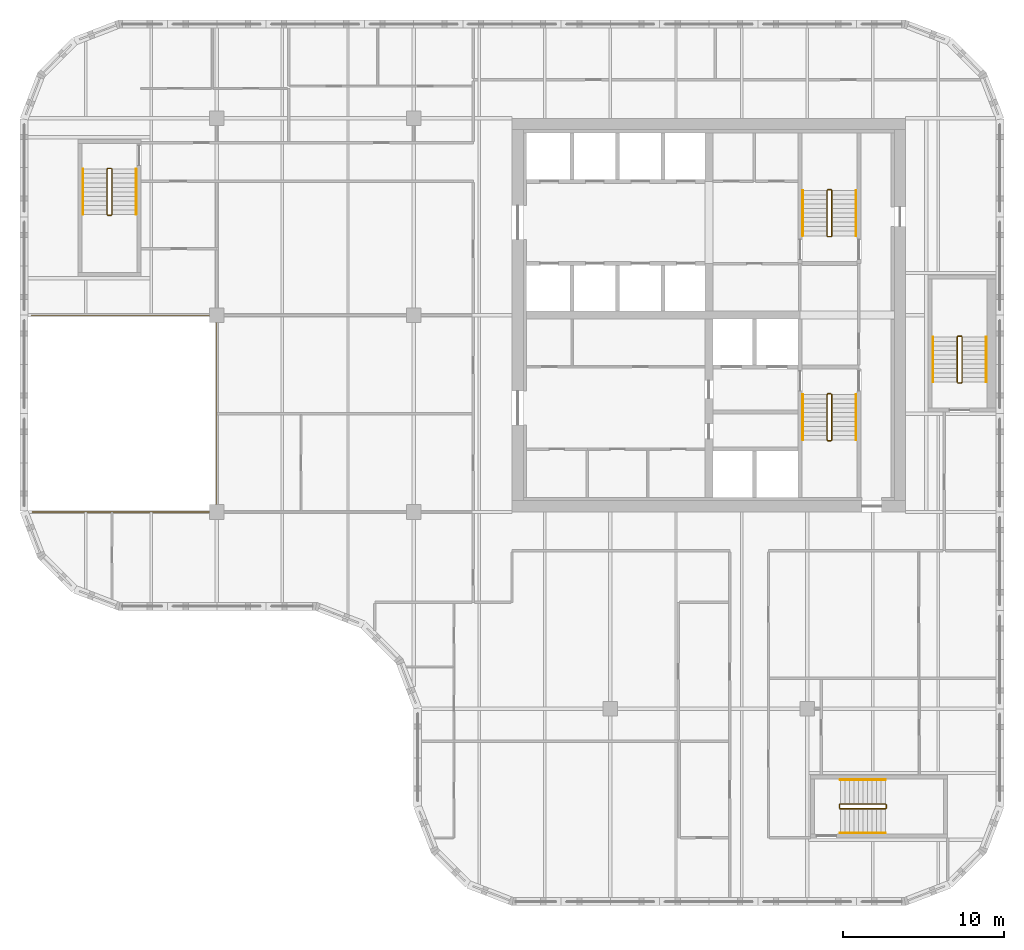
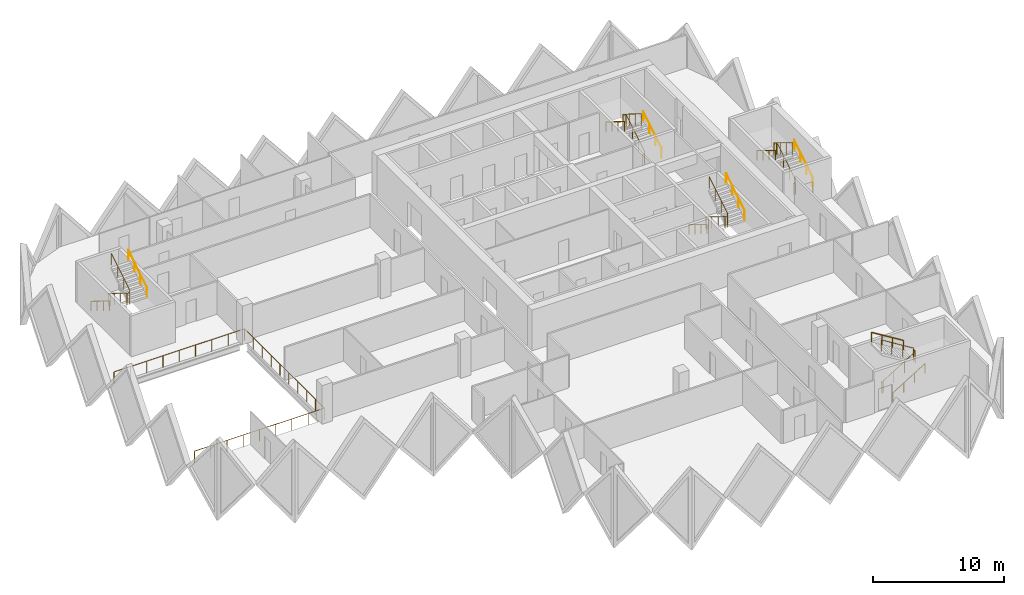
# One storey, part 12 of 12: 16 railings.
"""IFC4 building model written with IfcOpenShell, lengths in metres."""

from ifc_helpers import new_model, si_unit, direction, frame, origin, origin_2d, place, context, subcontext, project, spatial, circle, extrude, material, type_object, element, save


model = new_model("IFC4")

# Units and contexts
model_context = context("Model", 3, precision=1e-05, world=origin(), true_north=direction((0.0, 1.0)))
body_context = subcontext(model_context, "Body", "Model", "MODEL_VIEW")
ifc_project = project(units=[si_unit("LENGTHUNIT", "METRE"), si_unit("AREAUNIT", "SQUARE_METRE"), si_unit("VOLUMEUNIT", "CUBIC_METRE"), si_unit("PLANEANGLEUNIT", "RADIAN"), si_unit("MASSUNIT", "GRAM", prefix="KILO")], contexts=[model_context])

# Site, building, storey
site_placement = place(None, origin())
site = spatial("IfcSite", under=ifc_project, at=site_placement, CompositionType="ELEMENT")
building_placement = place(site_placement, origin())
building = spatial("IfcBuilding", under=site, at=building_placement, Name="Tessera Gate Towers", CompositionType="ELEMENT")
storey_placement = place(building_placement, frame((0.0, 0.0, 143.0)))
storey = spatial("IfcBuildingStorey", under=building, at=storey_placement, Name="L35", CompositionType="ELEMENT", Elevation=143.0)

# Railings
ifc_material_1 = material(Name="Toughened glass with stainless steel handrail", Category="steel")
railing_type_1 = type_object("IfcRailingType", Name="GUARD 1100 GLASS BALUSTRADE", PredefinedType="GUARDRAIL", material=ifc_material_1)
railing_1_placement = place(storey_placement, frame((0.750244140625, 24.39990234375, 0.0)))
element("IfcRailing", 1, at=railing_1_placement, inside=storey, type_object=railing_type_1, Name="Guard", PredefinedType="GUARDRAIL", context=body_context, shape_type="SweptSolid", body=[
    extrude(circle(Radius=0.02490234375, at=origin_2d()), frame((0.0, 0.0, 1.0751953125), z_axis=(1.0, 0.0, 0.0), x_axis=(0.0, 1.0, 0.0)), (0.0, 0.0, 1.0), 11.44970703125),
    extrude(circle(Radius=0.02490234375, at=origin_2d()), frame((11.44970703125, 0.0, 1.0751953125), z_axis=(0.0, 1.0, 0.0), x_axis=(-1.0, 0.0, 0.0)), (0.0, 0.0, 1.0), 12.2001953125),
    extrude(circle(Radius=0.02490234375, at=origin_2d()), frame((11.44970703125, 12.2001953125, 1.0751953125), z_axis=(-1.0, 0.0, 0.0), x_axis=(0.0, -1.0, 0.0)), (0.0, 0.0, 1.0), 11.5),
    extrude(circle(Radius=0.02490234375, at=origin_2d()), origin(), (0.0, 0.0, 1.0), 1.050048828125),
    extrude(circle(Radius=0.02490234375, at=origin_2d()), frame((1.43115234375, 0.0, 0.0)), (0.0, 0.0, 1.0), 1.050048828125),
    extrude(circle(Radius=0.02490234375, at=origin_2d()), frame((2.8623046875, 0.0, 0.0)), (0.0, 0.0, 1.0), 1.050048828125),
    extrude(circle(Radius=0.02490234375, at=origin_2d()), frame((4.293701171875, 0.0, 0.0)), (0.0, 0.0, 1.0), 1.050048828125),
    extrude(circle(Radius=0.02490234375, at=origin_2d()), frame((5.724853515625, 0.0, 0.0)), (0.0, 0.0, 1.0), 1.050048828125),
    extrude(circle(Radius=0.02490234375, at=origin_2d()), frame((7.156005859375, 0.0, 0.0)), (0.0, 0.0, 1.0), 1.050048828125),
    extrude(circle(Radius=0.02490234375, at=origin_2d()), frame((8.58740234375, 0.0, 0.0)), (0.0, 0.0, 1.0), 1.050048828125),
    extrude(circle(Radius=0.02490234375, at=origin_2d()), frame((10.0185546875, 0.0, 0.0)), (0.0, 0.0, 1.0), 1.050048828125),
    extrude(circle(Radius=0.02490234375, at=origin_2d()), frame((11.44970703125, 0.0, 0.0)), (0.0, 0.0, 1.0), 1.050048828125),
    extrude(circle(Radius=0.02490234375, at=origin_2d()), frame((11.44970703125, 1.35546875, 0.0)), (0.0, 0.0, 1.0), 1.050048828125),
    extrude(circle(Radius=0.02490234375, at=origin_2d()), frame((11.44970703125, 2.711181640625, 0.0)), (0.0, 0.0, 1.0), 1.050048828125),
    extrude(circle(Radius=0.02490234375, at=origin_2d()), frame((11.44970703125, 4.066650390625, 0.0)), (0.0, 0.0, 1.0), 1.050048828125),
    extrude(circle(Radius=0.02490234375, at=origin_2d()), frame((11.44970703125, 5.42236328125, 0.0)), (0.0, 0.0, 1.0), 1.050048828125),
    extrude(circle(Radius=0.02490234375, at=origin_2d()), frame((11.44970703125, 6.77783203125, 0.0)), (0.0, 0.0, 1.0), 1.050048828125),
    extrude(circle(Radius=0.02490234375, at=origin_2d()), frame((11.44970703125, 8.133544921875, 0.0)), (0.0, 0.0, 1.0), 1.050048828125),
    extrude(circle(Radius=0.02490234375, at=origin_2d()), frame((11.44970703125, 9.489013671875, 0.0)), (0.0, 0.0, 1.0), 1.050048828125),
    extrude(circle(Radius=0.02490234375, at=origin_2d()), frame((11.44970703125, 10.8447265625, 0.0)), (0.0, 0.0, 1.0), 1.050048828125),
    extrude(circle(Radius=0.02490234375, at=origin_2d()), frame((11.44970703125, 12.2001953125, 0.0)), (0.0, 0.0, 1.0), 1.050048828125),
    extrude(circle(Radius=0.02490234375, at=origin_2d()), frame((10.01220703125, 12.2001953125, 0.0)), (0.0, 0.0, 1.0), 1.050048828125),
    extrude(circle(Radius=0.02490234375, at=origin_2d()), frame((8.57470703125, 12.2001953125, 0.0)), (0.0, 0.0, 1.0), 1.050048828125),
    extrude(circle(Radius=0.02490234375, at=origin_2d()), frame((7.13720703125, 12.2001953125, 0.0)), (0.0, 0.0, 1.0), 1.050048828125),
    extrude(circle(Radius=0.02490234375, at=origin_2d()), frame((5.69970703125, 12.2001953125, 0.0)), (0.0, 0.0, 1.0), 1.050048828125),
    extrude(circle(Radius=0.02490234375, at=origin_2d()), frame((4.26220703125, 12.2001953125, 0.0)), (0.0, 0.0, 1.0), 1.050048828125),
    extrude(circle(Radius=0.02490234375, at=origin_2d()), frame((2.82470703125, 12.2001953125, 0.0)), (0.0, 0.0, 1.0), 1.050048828125),
    extrude(circle(Radius=0.02490234375, at=origin_2d()), frame((1.38720703125, 12.2001953125, 0.0)), (0.0, 0.0, 1.0), 1.050048828125),
    extrude(circle(Radius=0.02490234375, at=origin_2d()), frame((-0.05029296875, 12.2001953125, 0.0)), (0.0, 0.0, 1.0), 1.050048828125),
])
ifc_material_2 = material(Name="Steel 350W", Category="steel")
railing_type_2 = type_object("IfcRailingType", Name="STAIR GUARD 1100", PredefinedType="GUARDRAIL", material=ifc_material_2)
railing_2_placement = place(storey_placement, frame((50.27490234375, 31.72509765625, 0.0)))
element("IfcRailing", 2, at=railing_2_placement, inside=storey, type_object=railing_type_2, Name="L35 ST1 stair guard 1", PredefinedType="GUARDRAIL", context=body_context, shape_type="SweptSolid", body=[
    extrude(circle(Radius=0.02392578125, at=origin_2d()), frame((0.0, 0.0, 1.076171875), z_axis=(-1.0, 0.0, 0.0), x_axis=(0.0, -1.0, 0.0)), (0.0, 0.0, 1.0), 0.199951171875),
    extrude(circle(Radius=0.02392578125, at=origin_2d()), frame((-0.199951171875, 0.0, 1.076171875), z_axis=(-0.268277960024, -0.268277960024, 0.925231793839), x_axis=(0.707106781187, -0.707106781187, 0.0)), (0.0, 0.0, 1.0), 0.1865234375),
    extrude(circle(Radius=0.02392578125, at=origin_2d()), frame((-0.25, -0.050048828125, 1.24853515625), z_axis=(0.0, -0.851089632645, 0.525020415988), x_axis=(1.0, 0.0, 0.0)), (0.0, 0.0, 1.0), 3.2900390625),
    extrude(circle(Radius=0.02392578125, at=origin_2d()), frame((-0.25, -2.85009765625, 2.97607421875), z_axis=(0.707106781187, -0.707106781187, 0.0), x_axis=(0.707106781187, 0.707106781187, 0.0)), (0.0, 0.0, 1.0), 0.07080078125),
    extrude(circle(Radius=0.02392578125, at=origin_2d()), frame((-0.199951171875, -2.900146484375, 2.97607421875), z_axis=(1.0, 0.0, 0.0), x_axis=(0.0, 1.0, 0.0)), (0.0, 0.0, 1.0), 0.199951171875),
    extrude(circle(Radius=0.02392578125, at=origin_2d()), frame((0.0, -2.900146484375, 2.97607421875), z_axis=(0.267953482034, 0.267953482034, 0.925419830635), x_axis=(-0.707106781187, 0.707106781187, 0.0)), (0.0, 0.0, 1.0), 0.186767578125),
    extrude(circle(Radius=0.02392578125, at=origin_2d()), frame((0.050048828125, -2.85009765625, 3.14892578125), z_axis=(0.0, 0.851089632645, 0.525020415988), x_axis=(-1.0, 0.0, 0.0)), (0.0, 0.0, 1.0), 3.2900390625),
    extrude(circle(Radius=0.02099609375, at=origin_2d()), origin(), (0.0, 0.0, 1.0), 1.052001953125),
    extrude(circle(Radius=0.02099609375, at=origin_2d()), frame((-0.199951171875, 0.0, 0.0)), (0.0, 0.0, 1.0), 1.052001953125),
    extrude(circle(Radius=0.02099609375, at=origin_2d()), frame((-0.25, -0.050048828125, 0.172607421875)), (0.0, 0.0, 1.0), 1.052001953125),
    extrude(circle(Radius=0.02099609375, at=origin_2d()), frame((-0.25, -0.9833984375, 0.748291015625)), (0.0, 0.0, 1.0), 1.052001953125),
    extrude(circle(Radius=0.02099609375, at=origin_2d()), frame((-0.25, -1.916748046875, 1.32421875)), (0.0, 0.0, 1.0), 1.052001953125),
    extrude(circle(Radius=0.02099609375, at=origin_2d()), frame((-0.25, -2.85009765625, 1.89990234375)), (0.0, 0.0, 1.0), 1.052001953125),
    extrude(circle(Radius=0.02099609375, at=origin_2d()), frame((-0.199951171875, -2.900146484375, 1.89990234375)), (0.0, 0.0, 1.0), 1.052001953125),
    extrude(circle(Radius=0.02099609375, at=origin_2d()), frame((0.0, -2.900146484375, 1.89990234375)), (0.0, 0.0, 1.0), 1.052001953125),
    extrude(circle(Radius=0.02099609375, at=origin_2d()), frame((0.050048828125, -2.85009765625, 2.07275390625)), (0.0, 0.0, 1.0), 1.052001953125),
    extrude(circle(Radius=0.02099609375, at=origin_2d()), frame((0.050048828125, -1.916748046875, 2.6484375)), (0.0, 0.0, 1.0), 1.052001953125),
    extrude(circle(Radius=0.02099609375, at=origin_2d()), frame((0.050048828125, -0.9833984375, 3.224365234375)), (0.0, 0.0, 1.0), 1.052001953125),
    extrude(circle(Radius=0.02099609375, at=origin_2d()), frame((0.050048828125, -0.050048828125, 3.800048828125)), (0.0, 0.0, 1.0), 1.052001953125),
])
railing_3_placement = place(storey_placement, frame((50.074951171875, 41.47509765625, 0.0)))
element("IfcRailing", 3, at=railing_3_placement, inside=storey, type_object=railing_type_2, Name="L35 ST2 stair guard 1", PredefinedType="GUARDRAIL", context=body_context, shape_type="SweptSolid", body=[
    extrude(circle(Radius=0.02392578125, at=origin_2d()), frame((0.0, 0.0, 1.076171875), z_axis=(1.0, 0.0, 0.0), x_axis=(0.0, 1.0, 0.0)), (0.0, 0.0, 1.0), 0.199951171875),
    extrude(circle(Radius=0.02392578125, at=origin_2d()), frame((0.199951171875, 0.0, 1.076171875), z_axis=(0.268371968888, 0.267062837333, 0.925556009775), x_axis=(-0.705375805398, 0.708833529934, 0.0)), (0.0, 0.0, 1.0), 0.1865234375),
    extrude(circle(Radius=0.02392578125, at=origin_2d()), frame((0.25, 0.0498046875, 1.24853515625), z_axis=(0.0, 0.851089632645, 0.525020415988), x_axis=(-1.0, 0.0, 0.0)), (0.0, 0.0, 1.0), 3.2900390625),
    extrude(circle(Radius=0.02392578125, at=origin_2d()), frame((0.25, 2.849853515625, 2.97607421875), z_axis=(-0.707106781187, 0.707106781187, 0.0), x_axis=(-0.707106781187, -0.707106781187, 0.0)), (0.0, 0.0, 1.0), 0.07080078125),
    extrude(circle(Radius=0.02392578125, at=origin_2d()), frame((0.199951171875, 2.89990234375, 2.97607421875), z_axis=(-1.0, 0.0, 0.0), x_axis=(0.0, -1.0, 0.0)), (0.0, 0.0, 1.0), 0.199951171875),
    extrude(circle(Radius=0.02392578125, at=origin_2d()), frame((0.0, 2.89990234375, 2.97607421875), z_axis=(-0.267953482034, -0.267953482034, 0.925419830635), x_axis=(0.707106781187, -0.707106781187, 0.0)), (0.0, 0.0, 1.0), 0.186767578125),
    extrude(circle(Radius=0.02392578125, at=origin_2d()), frame((-0.050048828125, 2.849853515625, 3.14892578125), z_axis=(0.0, -0.851089632645, 0.525020415988), x_axis=(1.0, 0.0, 0.0)), (0.0, 0.0, 1.0), 3.2900390625),
    extrude(circle(Radius=0.02099609375, at=origin_2d()), origin(), (0.0, 0.0, 1.0), 1.052001953125),
    extrude(circle(Radius=0.02099609375, at=origin_2d()), frame((0.199951171875, 0.0, 0.0)), (0.0, 0.0, 1.0), 1.052001953125),
    extrude(circle(Radius=0.02099609375, at=origin_2d()), frame((0.25, 0.0498046875, 0.172607421875)), (0.0, 0.0, 1.0), 1.052001953125),
    extrude(circle(Radius=0.02099609375, at=origin_2d()), frame((0.25, 0.983154296875, 0.748291015625)), (0.0, 0.0, 1.0), 1.052001953125),
    extrude(circle(Radius=0.02099609375, at=origin_2d()), frame((0.25, 1.91650390625, 1.32421875)), (0.0, 0.0, 1.0), 1.052001953125),
    extrude(circle(Radius=0.02099609375, at=origin_2d()), frame((0.25, 2.849853515625, 1.89990234375)), (0.0, 0.0, 1.0), 1.052001953125),
    extrude(circle(Radius=0.02099609375, at=origin_2d()), frame((0.199951171875, 2.89990234375, 1.89990234375)), (0.0, 0.0, 1.0), 1.052001953125),
    extrude(circle(Radius=0.02099609375, at=origin_2d()), frame((0.0, 2.89990234375, 1.89990234375)), (0.0, 0.0, 1.0), 1.052001953125),
    extrude(circle(Radius=0.02099609375, at=origin_2d()), frame((-0.050048828125, 2.849853515625, 2.07275390625)), (0.0, 0.0, 1.0), 1.052001953125),
    extrude(circle(Radius=0.02099609375, at=origin_2d()), frame((-0.050048828125, 1.91650390625, 2.6484375)), (0.0, 0.0, 1.0), 1.052001953125),
    extrude(circle(Radius=0.02099609375, at=origin_2d()), frame((-0.050048828125, 0.983154296875, 3.224365234375)), (0.0, 0.0, 1.0), 1.052001953125),
    extrude(circle(Radius=0.02099609375, at=origin_2d()), frame((-0.050048828125, 0.0498046875, 3.800048828125)), (0.0, 0.0, 1.0), 1.052001953125),
])
railing_4_placement = place(storey_placement, frame((5.64990234375, 45.699951171875, 0.0)))
element("IfcRailing", 4, at=railing_4_placement, inside=storey, type_object=railing_type_2, Name="L35 ST3 stair guard 1", PredefinedType="GUARDRAIL", context=body_context, shape_type="SweptSolid", body=[
    extrude(circle(Radius=0.02392578125, at=origin_2d()), frame((0.0, 0.0, 1.076171875), z_axis=(-1.0, 0.0, 0.0), x_axis=(0.0, -1.0, 0.0)), (0.0, 0.0, 1.0), 0.199951171875),
    extrude(circle(Radius=0.02392578125, at=origin_2d()), frame((-0.199951171875, 0.0, 1.076171875), z_axis=(-0.268277960024, -0.268277960024, 0.925231793839), x_axis=(0.707106781187, -0.707106781187, 0.0)), (0.0, 0.0, 1.0), 0.1865234375),
    extrude(circle(Radius=0.02392578125, at=origin_2d()), frame((-0.25, -0.050048828125, 1.24853515625), z_axis=(0.0, -0.851069175582, 0.525053576669), x_axis=(1.0, 0.0, 0.0)), (0.0, 0.0, 1.0), 3.289794921875),
    extrude(circle(Radius=0.02392578125, at=origin_2d()), frame((-0.25, -2.849853515625, 2.97607421875), z_axis=(0.707106781187, -0.707106781187, 0.0), x_axis=(0.707106781187, 0.707106781187, 0.0)), (0.0, 0.0, 1.0), 0.07080078125),
    extrude(circle(Radius=0.02392578125, at=origin_2d()), frame((-0.199951171875, -2.89990234375, 2.97607421875), z_axis=(1.0, 0.0, 0.0), x_axis=(0.0, 1.0, 0.0)), (0.0, 0.0, 1.0), 0.199951171875),
    extrude(circle(Radius=0.02392578125, at=origin_2d()), frame((0.0, -2.89990234375, 2.97607421875), z_axis=(0.267953482034, 0.267953482034, 0.925419830635), x_axis=(-0.707106781187, 0.707106781187, 0.0)), (0.0, 0.0, 1.0), 0.186767578125),
    extrude(circle(Radius=0.02392578125, at=origin_2d()), frame((0.050048828125, -2.849853515625, 3.14892578125), z_axis=(0.0, 0.851069175582, 0.525053576669), x_axis=(-1.0, 0.0, 0.0)), (0.0, 0.0, 1.0), 3.289794921875),
    extrude(circle(Radius=0.02099609375, at=origin_2d()), origin(), (0.0, 0.0, 1.0), 1.052001953125),
    extrude(circle(Radius=0.02099609375, at=origin_2d()), frame((-0.199951171875, 0.0, 0.0)), (0.0, 0.0, 1.0), 1.052001953125),
    extrude(circle(Radius=0.02099609375, at=origin_2d()), frame((-0.25, -0.050048828125, 0.172607421875)), (0.0, 0.0, 1.0), 1.052001953125),
    extrude(circle(Radius=0.02099609375, at=origin_2d()), frame((-0.25, -0.9833984375, 0.748291015625)), (0.0, 0.0, 1.0), 1.052001953125),
    extrude(circle(Radius=0.02099609375, at=origin_2d()), frame((-0.25, -1.91650390625, 1.32421875)), (0.0, 0.0, 1.0), 1.052001953125),
    extrude(circle(Radius=0.02099609375, at=origin_2d()), frame((-0.25, -2.849853515625, 1.89990234375)), (0.0, 0.0, 1.0), 1.052001953125),
    extrude(circle(Radius=0.02099609375, at=origin_2d()), frame((-0.199951171875, -2.89990234375, 1.89990234375)), (0.0, 0.0, 1.0), 1.052001953125),
    extrude(circle(Radius=0.02099609375, at=origin_2d()), frame((0.0, -2.89990234375, 1.89990234375)), (0.0, 0.0, 1.0), 1.052001953125),
    extrude(circle(Radius=0.02099609375, at=origin_2d()), frame((0.050048828125, -2.849853515625, 2.07275390625)), (0.0, 0.0, 1.0), 1.052001953125),
    extrude(circle(Radius=0.02099609375, at=origin_2d()), frame((0.050048828125, -1.91650390625, 2.6484375)), (0.0, 0.0, 1.0), 1.052001953125),
    extrude(circle(Radius=0.02099609375, at=origin_2d()), frame((0.050048828125, -0.9833984375, 3.224365234375)), (0.0, 0.0, 1.0), 1.052001953125),
    extrude(circle(Radius=0.02099609375, at=origin_2d()), frame((0.050048828125, -0.050048828125, 3.800048828125)), (0.0, 0.0, 1.0), 1.052001953125),
])
railing_5_placement = place(storey_placement, frame((50.800048828125, 6.25, 0.0)))
element("IfcRailing", 5, at=railing_5_placement, inside=storey, type_object=railing_type_2, Name="L35 ST4 stair guard 1", PredefinedType="GUARDRAIL", context=body_context, shape_type="SweptSolid", body=[
    extrude(circle(Radius=0.02392578125, at=origin_2d()), frame((0.0, 0.0, 1.076171875), z_axis=(0.0, -1.0, 0.0), x_axis=(1.0, 0.0, 0.0)), (0.0, 0.0, 1.0), 0.199951171875),
    extrude(circle(Radius=0.02392578125, at=origin_2d()), frame((0.0, -0.199951171875, 1.076171875), z_axis=(0.268277960024, -0.268277960024, 0.925231793839), x_axis=(0.707106781187, 0.707106781187, 0.0)), (0.0, 0.0, 1.0), 0.1865234375),
    extrude(circle(Radius=0.02392578125, at=origin_2d()), frame((0.050048828125, -0.25, 1.24853515625), z_axis=(0.851069175582, 0.0, 0.525053576669), x_axis=(0.0, 1.0, 0.0)), (0.0, 0.0, 1.0), 3.289794921875),
    extrude(circle(Radius=0.02392578125, at=origin_2d()), frame((2.849853515625, -0.25, 2.97607421875), z_axis=(0.707106781187, 0.707106781187, 0.0), x_axis=(-0.707106781187, 0.707106781187, 0.0)), (0.0, 0.0, 1.0), 0.07080078125),
    extrude(circle(Radius=0.02392578125, at=origin_2d()), frame((2.89990234375, -0.199951171875, 2.97607421875), z_axis=(0.0, 1.0, 0.0), x_axis=(-1.0, 0.0, 0.0)), (0.0, 0.0, 1.0), 0.199951171875),
    extrude(circle(Radius=0.02392578125, at=origin_2d()), frame((2.89990234375, 0.0, 2.97607421875), z_axis=(-0.267953482034, 0.267953482034, 0.925419830635), x_axis=(-0.707106781187, -0.707106781187, 0.0)), (0.0, 0.0, 1.0), 0.186767578125),
    extrude(circle(Radius=0.02392578125, at=origin_2d()), frame((2.849853515625, 0.050048828125, 3.14892578125), z_axis=(-0.851069175582, 0.0, 0.525053576669), x_axis=(0.0, -1.0, 0.0)), (0.0, 0.0, 1.0), 3.289794921875),
    extrude(circle(Radius=0.02099609375, at=origin_2d()), origin(), (0.0, 0.0, 1.0), 1.052001953125),
    extrude(circle(Radius=0.02099609375, at=origin_2d()), frame((0.0, -0.199951171875, 0.0)), (0.0, 0.0, 1.0), 1.052001953125),
    extrude(circle(Radius=0.02099609375, at=origin_2d()), frame((0.050048828125, -0.25, 0.172607421875)), (0.0, 0.0, 1.0), 1.052001953125),
    extrude(circle(Radius=0.02099609375, at=origin_2d()), frame((0.9833984375, -0.25, 0.748291015625)), (0.0, 0.0, 1.0), 1.052001953125),
    extrude(circle(Radius=0.02099609375, at=origin_2d()), frame((1.91650390625, -0.25, 1.32421875)), (0.0, 0.0, 1.0), 1.052001953125),
    extrude(circle(Radius=0.02099609375, at=origin_2d()), frame((2.849853515625, -0.25, 1.89990234375)), (0.0, 0.0, 1.0), 1.052001953125),
    extrude(circle(Radius=0.02099609375, at=origin_2d()), frame((2.89990234375, -0.199951171875, 1.89990234375)), (0.0, 0.0, 1.0), 1.052001953125),
    extrude(circle(Radius=0.02099609375, at=origin_2d()), frame((2.89990234375, 0.0, 1.89990234375)), (0.0, 0.0, 1.0), 1.052001953125),
    extrude(circle(Radius=0.02099609375, at=origin_2d()), frame((2.849853515625, 0.050048828125, 2.07275390625)), (0.0, 0.0, 1.0), 1.052001953125),
    extrude(circle(Radius=0.02099609375, at=origin_2d()), frame((1.91650390625, 0.050048828125, 2.6484375)), (0.0, 0.0, 1.0), 1.052001953125),
    extrude(circle(Radius=0.02099609375, at=origin_2d()), frame((0.9833984375, 0.050048828125, 3.224365234375)), (0.0, 0.0, 1.0), 1.052001953125),
    extrude(circle(Radius=0.02099609375, at=origin_2d()), frame((0.050048828125, 0.050048828125, 3.800048828125)), (0.0, 0.0, 1.0), 1.052001953125),
])
railing_6_placement = place(storey_placement, frame((58.14990234375, 32.39990234375, 0.0)))
element("IfcRailing", 6, at=railing_6_placement, inside=storey, type_object=railing_type_2, Name="L35 ST5 stair guard 1", PredefinedType="GUARDRAIL", context=body_context, shape_type="SweptSolid", body=[
    extrude(circle(Radius=0.02392578125, at=origin_2d()), frame((0.0, 0.0, 1.076171875), z_axis=(1.0, 0.0, 0.0), x_axis=(0.0, 1.0, 0.0)), (0.0, 0.0, 1.0), 0.2001953125),
    extrude(circle(Radius=0.02392578125, at=origin_2d()), frame((0.2001953125, 0.0, 1.076171875), z_axis=(0.267062837333, 0.268371968888, 0.925556009775), x_axis=(-0.708833529934, 0.705375805398, 0.0)), (0.0, 0.0, 1.0), 0.1865234375),
    extrude(circle(Radius=0.02392578125, at=origin_2d()), frame((0.25, 0.050048828125, 1.24853515625), z_axis=(0.0, 0.851089632645, 0.525020415988), x_axis=(-1.0, 0.0, 0.0)), (0.0, 0.0, 1.0), 3.2900390625),
    extrude(circle(Radius=0.02392578125, at=origin_2d()), frame((0.25, 2.85009765625, 2.97607421875), z_axis=(-0.705375805398, 0.708833529934, 0.0), x_axis=(-0.708833529934, -0.705375805398, 0.0)), (0.0, 0.0, 1.0), 0.070556640625),
    extrude(circle(Radius=0.02392578125, at=origin_2d()), frame((0.2001953125, 2.900146484375, 2.97607421875), z_axis=(-1.0, 0.0, 0.0), x_axis=(0.0, -1.0, 0.0)), (0.0, 0.0, 1.0), 0.2001953125),
    extrude(circle(Radius=0.02392578125, at=origin_2d()), frame((0.0, 2.900146484375, 2.97607421875), z_axis=(-0.266739603011, -0.268047150085, 0.925743328097), x_axis=(0.708833529934, -0.705375805398, 0.0)), (0.0, 0.0, 1.0), 0.186767578125),
    extrude(circle(Radius=0.02392578125, at=origin_2d()), frame((-0.0498046875, 2.85009765625, 3.14892578125), z_axis=(0.0, -0.851089632645, 0.525020415988), x_axis=(1.0, 0.0, 0.0)), (0.0, 0.0, 1.0), 3.2900390625),
    extrude(circle(Radius=0.02099609375, at=origin_2d()), origin(), (0.0, 0.0, 1.0), 1.052001953125),
    extrude(circle(Radius=0.02099609375, at=origin_2d()), frame((0.2001953125, 0.0, 0.0)), (0.0, 0.0, 1.0), 1.052001953125),
    extrude(circle(Radius=0.02099609375, at=origin_2d()), frame((0.25, 0.050048828125, 0.172607421875)), (0.0, 0.0, 1.0), 1.052001953125),
    extrude(circle(Radius=0.02099609375, at=origin_2d()), frame((0.25, 0.9833984375, 0.748291015625)), (0.0, 0.0, 1.0), 1.052001953125),
    extrude(circle(Radius=0.02099609375, at=origin_2d()), frame((0.25, 1.916748046875, 1.32421875)), (0.0, 0.0, 1.0), 1.052001953125),
    extrude(circle(Radius=0.02099609375, at=origin_2d()), frame((0.25, 2.85009765625, 1.89990234375)), (0.0, 0.0, 1.0), 1.052001953125),
    extrude(circle(Radius=0.02099609375, at=origin_2d()), frame((0.2001953125, 2.900146484375, 1.89990234375)), (0.0, 0.0, 1.0), 1.052001953125),
    extrude(circle(Radius=0.02099609375, at=origin_2d()), frame((0.0, 2.900146484375, 1.89990234375)), (0.0, 0.0, 1.0), 1.052001953125),
    extrude(circle(Radius=0.02099609375, at=origin_2d()), frame((-0.0498046875, 2.85009765625, 2.07275390625)), (0.0, 0.0, 1.0), 1.052001953125),
    extrude(circle(Radius=0.02099609375, at=origin_2d()), frame((-0.0498046875, 1.916748046875, 2.6484375)), (0.0, 0.0, 1.0), 1.052001953125),
    extrude(circle(Radius=0.02099609375, at=origin_2d()), frame((-0.0498046875, 0.9833984375, 3.224365234375)), (0.0, 0.0, 1.0), 1.052001953125),
    extrude(circle(Radius=0.02099609375, at=origin_2d()), frame((-0.0498046875, 0.050048828125, 3.800048828125)), (0.0, 0.0, 1.0), 1.052001953125),
])
ifc_material_3 = material(Name="Steel 350W", Category="steel")
railing_type_3 = type_object("IfcRailingType", Name="STAIR HANDRAIL 900", PredefinedType="HANDRAIL", material=ifc_material_3)
railing_7_placement = place(storey_placement, frame((48.52490234375, 31.675048828125, 0.172607421875)))
element("IfcRailing", 7, at=railing_7_placement, inside=storey, type_object=railing_type_3, Name="L35 ST1 stair handrail 1", PredefinedType="HANDRAIL", context=body_context, shape_type="SweptSolid", body=[
    extrude(circle(Radius=0.02392578125, at=origin_2d()), frame((0.0, 0.0, 0.8759765625), z_axis=(0.0, -0.851089632645, 0.525020415988), x_axis=(1.0, 0.0, 0.0)), (0.0, 0.0, 1.0), 3.2900390625),
    extrude(circle(Radius=0.02099609375, at=origin_2d()), origin(), (0.0, 0.0, 1.0), 0.851806640625),
    extrude(circle(Radius=0.02099609375, at=origin_2d()), frame((0.0, -0.933349609375, 0.57568359375)), (0.0, 0.0, 1.0), 0.851806640625),
    extrude(circle(Radius=0.02099609375, at=origin_2d()), frame((0.0, -1.86669921875, 1.151611328125)), (0.0, 0.0, 1.0), 0.851806640625),
    extrude(circle(Radius=0.02099609375, at=origin_2d()), frame((0.0, -2.800048828125, 1.727294921875)), (0.0, 0.0, 1.0), 0.851806640625),
])
for number, where, name in (
    (8, (51.824951171875, 28.875, 2.07275390625), "L35 ST1 stair handrail 2"),
    (9, (51.824951171875, 41.52490234375, 0.172607421875), "L35 ST2 stair handrail 1"),
):
    element("IfcRailing", number, at=place(storey_placement, frame(where)), inside=storey, type_object=railing_type_3, Name=name, PredefinedType="HANDRAIL", context=body_context, shape_type="SweptSolid", body=[
        extrude(circle(Radius=0.02392578125, at=origin_2d()), frame((0.0, 0.0, 0.8759765625), z_axis=(0.0, 0.851089632645, 0.525020415988), x_axis=(-1.0, 0.0, 0.0)), (0.0, 0.0, 1.0), 3.2900390625),
        extrude(circle(Radius=0.02099609375, at=origin_2d()), origin(), (0.0, 0.0, 1.0), 0.851806640625),
        extrude(circle(Radius=0.02099609375, at=origin_2d()), frame((0.0, 0.933349609375, 0.57568359375)), (0.0, 0.0, 1.0), 0.851806640625),
        extrude(circle(Radius=0.02099609375, at=origin_2d()), frame((0.0, 1.86669921875, 1.151611328125)), (0.0, 0.0, 1.0), 0.851806640625),
        extrude(circle(Radius=0.02099609375, at=origin_2d()), frame((0.0, 2.800048828125, 1.727294921875)), (0.0, 0.0, 1.0), 0.851806640625),
    ])
railing_8_placement = place(storey_placement, frame((48.52490234375, 44.324951171875, 2.07275390625)))
element("IfcRailing", 10, at=railing_8_placement, inside=storey, type_object=railing_type_3, Name="L35 ST2 stair handrail 2", PredefinedType="HANDRAIL", context=body_context, shape_type="SweptSolid", body=[
    extrude(circle(Radius=0.02392578125, at=origin_2d()), frame((0.0, 0.0, 0.8759765625), z_axis=(0.0, -0.851089632645, 0.525020415988), x_axis=(1.0, 0.0, 0.0)), (0.0, 0.0, 1.0), 3.2900390625),
    extrude(circle(Radius=0.02099609375, at=origin_2d()), origin(), (0.0, 0.0, 1.0), 0.851806640625),
    extrude(circle(Radius=0.02099609375, at=origin_2d()), frame((0.0, -0.933349609375, 0.57568359375)), (0.0, 0.0, 1.0), 0.851806640625),
    extrude(circle(Radius=0.02099609375, at=origin_2d()), frame((0.0, -1.86669921875, 1.151611328125)), (0.0, 0.0, 1.0), 0.851806640625),
    extrude(circle(Radius=0.02099609375, at=origin_2d()), frame((0.0, -2.800048828125, 1.727294921875)), (0.0, 0.0, 1.0), 0.851806640625),
])
railing_9_placement = place(storey_placement, frame((3.89990234375, 45.64990234375, 0.172607421875)))
element("IfcRailing", 11, at=railing_9_placement, inside=storey, type_object=railing_type_3, Name="L35 ST3 stair handrail 1", PredefinedType="HANDRAIL", context=body_context, shape_type="SweptSolid", body=[
    extrude(circle(Radius=0.02392578125, at=origin_2d()), frame((0.0, 0.0, 0.8759765625), z_axis=(0.0, -0.851069175582, 0.525053576669), x_axis=(1.0, 0.0, 0.0)), (0.0, 0.0, 1.0), 3.289794921875),
    extrude(circle(Radius=0.02099609375, at=origin_2d()), origin(), (0.0, 0.0, 1.0), 0.851806640625),
    extrude(circle(Radius=0.02099609375, at=origin_2d()), frame((0.0, -0.933349609375, 0.57568359375)), (0.0, 0.0, 1.0), 0.851806640625),
    extrude(circle(Radius=0.02099609375, at=origin_2d()), frame((0.0, -1.866455078125, 1.151611328125)), (0.0, 0.0, 1.0), 0.851806640625),
    extrude(circle(Radius=0.02099609375, at=origin_2d()), frame((0.0, -2.7998046875, 1.727294921875)), (0.0, 0.0, 1.0), 0.851806640625),
])
railing_10_placement = place(storey_placement, frame((7.199951171875, 42.85009765625, 2.07275390625)))
element("IfcRailing", 12, at=railing_10_placement, inside=storey, type_object=railing_type_3, Name="L35 ST3 stair handrail 2", PredefinedType="HANDRAIL", context=body_context, shape_type="SweptSolid", body=[
    extrude(circle(Radius=0.02392578125, at=origin_2d()), frame((0.0, 0.0, 0.8759765625), z_axis=(0.0, 0.851069175582, 0.525053576669), x_axis=(-1.0, 0.0, 0.0)), (0.0, 0.0, 1.0), 3.289794921875),
    extrude(circle(Radius=0.02099609375, at=origin_2d()), origin(), (0.0, 0.0, 1.0), 0.851806640625),
    extrude(circle(Radius=0.02099609375, at=origin_2d()), frame((0.0, 0.933349609375, 0.57568359375)), (0.0, 0.0, 1.0), 0.851806640625),
    extrude(circle(Radius=0.02099609375, at=origin_2d()), frame((0.0, 1.866455078125, 1.151611328125)), (0.0, 0.0, 1.0), 0.851806640625),
    extrude(circle(Radius=0.02099609375, at=origin_2d()), frame((0.0, 2.7998046875, 1.727294921875)), (0.0, 0.0, 1.0), 0.851806640625),
])
railing_11_placement = place(storey_placement, frame((50.85009765625, 4.5, 0.172607421875)))
element("IfcRailing", 13, at=railing_11_placement, inside=storey, type_object=railing_type_3, Name="L35 ST4 stair handrail 1", PredefinedType="HANDRAIL", context=body_context, shape_type="SweptSolid", body=[
    extrude(circle(Radius=0.02392578125, at=origin_2d()), frame((0.0, 0.0, 0.8759765625), z_axis=(0.851069175582, 0.0, 0.525053576669), x_axis=(0.0, 1.0, 0.0)), (0.0, 0.0, 1.0), 3.289794921875),
    extrude(circle(Radius=0.02099609375, at=origin_2d()), origin(), (0.0, 0.0, 1.0), 0.851806640625),
    extrude(circle(Radius=0.02099609375, at=origin_2d()), frame((0.933349609375, 0.0, 0.57568359375)), (0.0, 0.0, 1.0), 0.851806640625),
    extrude(circle(Radius=0.02099609375, at=origin_2d()), frame((1.866455078125, 0.0, 1.151611328125)), (0.0, 0.0, 1.0), 0.851806640625),
    extrude(circle(Radius=0.02099609375, at=origin_2d()), frame((2.7998046875, 0.0, 1.727294921875)), (0.0, 0.0, 1.0), 0.851806640625),
])
railing_12_placement = place(storey_placement, frame((53.64990234375, 7.800048828125, 2.07275390625)))
element("IfcRailing", 14, at=railing_12_placement, inside=storey, type_object=railing_type_3, Name="L35 ST4 stair handrail 2", PredefinedType="HANDRAIL", context=body_context, shape_type="SweptSolid", body=[
    extrude(circle(Radius=0.02392578125, at=origin_2d()), frame((0.0, 0.0, 0.8759765625), z_axis=(-0.851069175582, 0.0, 0.525053576669), x_axis=(0.0, -1.0, 0.0)), (0.0, 0.0, 1.0), 3.289794921875),
    extrude(circle(Radius=0.02099609375, at=origin_2d()), origin(), (0.0, 0.0, 1.0), 0.851806640625),
    extrude(circle(Radius=0.02099609375, at=origin_2d()), frame((-0.933349609375, 0.0, 0.57568359375)), (0.0, 0.0, 1.0), 0.851806640625),
    extrude(circle(Radius=0.02099609375, at=origin_2d()), frame((-1.866455078125, 0.0, 1.151611328125)), (0.0, 0.0, 1.0), 0.851806640625),
    extrude(circle(Radius=0.02099609375, at=origin_2d()), frame((-2.7998046875, 0.0, 1.727294921875)), (0.0, 0.0, 1.0), 0.851806640625),
])
railing_13_placement = place(storey_placement, frame((59.89990234375, 32.449951171875, 0.172607421875)))
element("IfcRailing", 15, at=railing_13_placement, inside=storey, type_object=railing_type_3, Name="L35 ST5 stair handrail 1", PredefinedType="HANDRAIL", context=body_context, shape_type="SweptSolid", body=[
    extrude(circle(Radius=0.02392578125, at=origin_2d()), frame((0.0, 0.0, 0.8759765625), z_axis=(0.0, 0.851089632645, 0.525020415988), x_axis=(-1.0, 0.0, 0.0)), (0.0, 0.0, 1.0), 3.2900390625),
    extrude(circle(Radius=0.02099609375, at=origin_2d()), origin(), (0.0, 0.0, 1.0), 0.851806640625),
    extrude(circle(Radius=0.02099609375, at=origin_2d()), frame((0.0, 0.933349609375, 0.57568359375)), (0.0, 0.0, 1.0), 0.851806640625),
    extrude(circle(Radius=0.02099609375, at=origin_2d()), frame((0.0, 1.86669921875, 1.151611328125)), (0.0, 0.0, 1.0), 0.851806640625),
    extrude(circle(Radius=0.02099609375, at=origin_2d()), frame((0.0, 2.800048828125, 1.727294921875)), (0.0, 0.0, 1.0), 0.851806640625),
])
railing_14_placement = place(storey_placement, frame((56.60009765625, 35.25, 2.07275390625)))
element("IfcRailing", 16, at=railing_14_placement, inside=storey, type_object=railing_type_3, Name="L35 ST5 stair handrail 2", PredefinedType="HANDRAIL", context=body_context, shape_type="SweptSolid", body=[
    extrude(circle(Radius=0.02392578125, at=origin_2d()), frame((0.0, 0.0, 0.8759765625), z_axis=(0.0, -0.851089632645, 0.525020415988), x_axis=(1.0, 0.0, 0.0)), (0.0, 0.0, 1.0), 3.2900390625),
    extrude(circle(Radius=0.02099609375, at=origin_2d()), origin(), (0.0, 0.0, 1.0), 0.851806640625),
    extrude(circle(Radius=0.02099609375, at=origin_2d()), frame((0.0, -0.933349609375, 0.57568359375)), (0.0, 0.0, 1.0), 0.851806640625),
    extrude(circle(Radius=0.02099609375, at=origin_2d()), frame((0.0, -1.86669921875, 1.151611328125)), (0.0, 0.0, 1.0), 0.851806640625),
    extrude(circle(Radius=0.02099609375, at=origin_2d()), frame((0.0, -2.800048828125, 1.727294921875)), (0.0, 0.0, 1.0), 0.851806640625),
])

save(model, "model.ifc")
